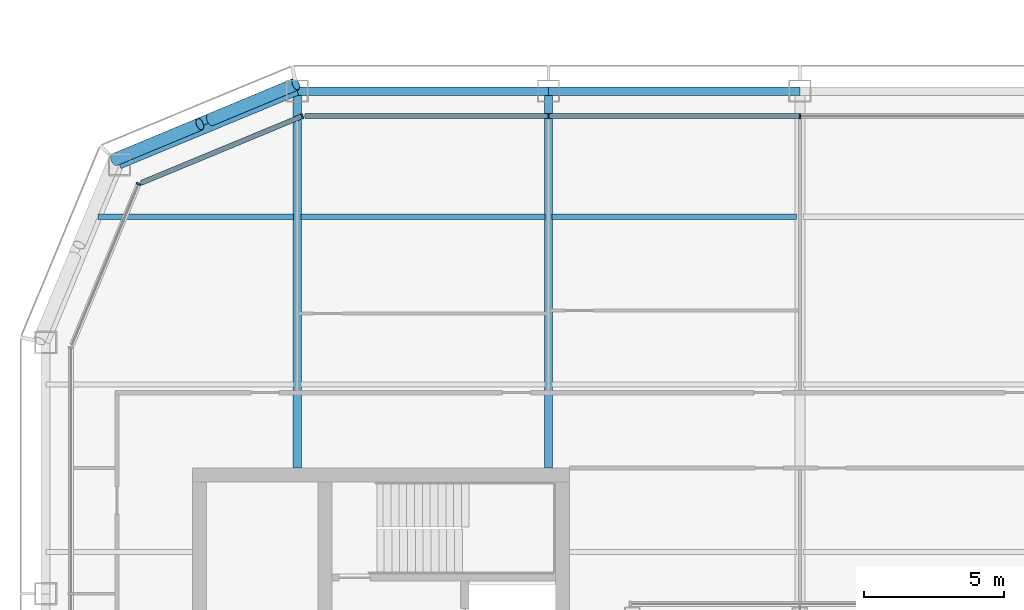
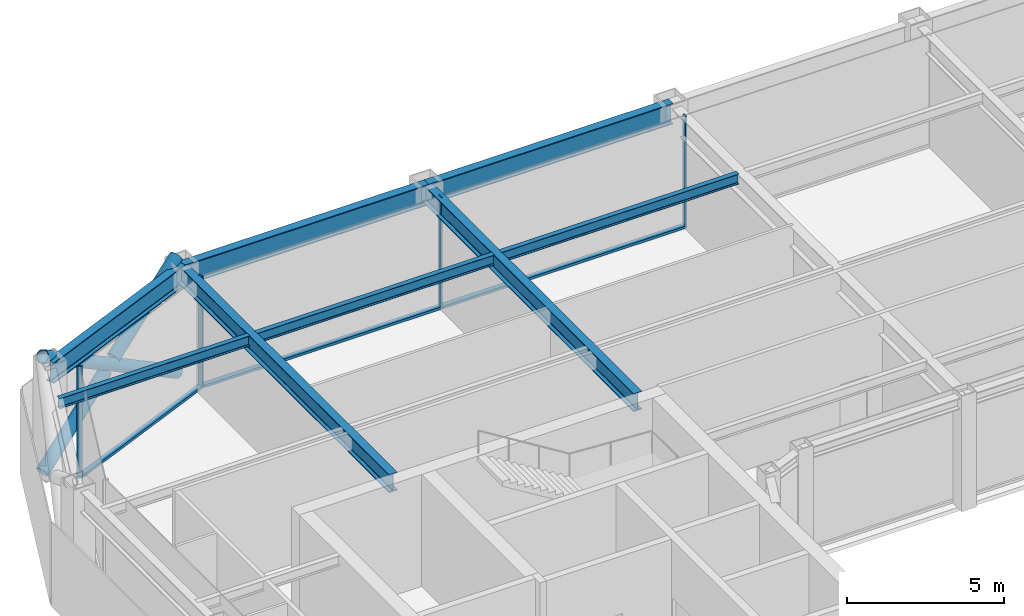
# One storey, part 8 of 23: 10 members, 8 beams, 3 elements without a shape of their own.
"""IFC4 building model written with IfcOpenShell, lengths in metres."""

from ifc_helpers import new_model, si_unit, direction, frame, origin, origin_2d, place, context, subcontext, project, spatial, rectangle, hollow_circle, i_section, extrude, material, layer, layer_set, material_profile, profile_set, type_object, element, aggregate, save


model = new_model("IFC4")

# Units and contexts
model_context = context("Model", 3, precision=1e-05, world=origin(), true_north=direction((0.0, 1.0)))
body_context = subcontext(model_context, "Body", "Model", "MODEL_VIEW")
ifc_project = project(units=[si_unit("LENGTHUNIT", "METRE"), si_unit("AREAUNIT", "SQUARE_METRE"), si_unit("VOLUMEUNIT", "CUBIC_METRE"), si_unit("PLANEANGLEUNIT", "RADIAN"), si_unit("MASSUNIT", "GRAM", prefix="KILO")], contexts=[model_context])

# Site, building, storey
site_placement = place(None, origin())
site = spatial("IfcSite", under=ifc_project, at=site_placement, CompositionType="ELEMENT")
building_placement = place(site_placement, origin())
building = spatial("IfcBuilding", under=site, at=building_placement, Name="Siwar Civic Tower", CompositionType="ELEMENT")
storey_placement = place(building_placement, frame((0.0, 0.0, 260.199951171875)))
storey = spatial("IfcBuildingStorey", under=building, at=storey_placement, Name="L56", CompositionType="ELEMENT", Elevation=260.199951171875)

# Curtain wall, members
ifc_material_1 = material(Name="Aluminium and glass", Category="aluminium")
ifc_layer_1 = layer(ifc_material_1, 0.179931640625)
ifc_layer_set_1 = layer_set([ifc_layer_1], Name="Aluminium and glass")
curtain_wall_type_1 = type_object("IfcCurtainWallType", Name="ENV-CW-C", PredefinedType="NOTDEFINED", material=ifc_layer_set_1)
curtain_wall_1_placement = place(storey_placement, origin())
curtain_wall_1 = element("IfcCurtainWall", 1, at=curtain_wall_1_placement, inside=storey, type_object=curtain_wall_type_1, Name="Curtain wall C N", PredefinedType="NOTDEFINED")
ifc_material_2 = material(Name="Aluminium 6063-T6", Category="aluminium")
ifc_material_profile_1 = material_profile(ifc_material_2, rectangle(XDim=0.179931640625, YDim=0.06005859375, at=origin_2d()), Name="AL 180x60")
ifc_profile_set_1 = profile_set([ifc_material_profile_1], Name="Aluminium 6063-T6")
member_type_1 = type_object("IfcMemberType", Name="ENV-MULLION-C", PredefinedType="MULLION", material=ifc_profile_set_1)
member_1_placement = place(storey_placement, frame((0.0, 26.10009765625, 0.0), z_axis=(0.0, 0.0, 1.0), x_axis=(0.0, -1.0, 0.0)))
member_1 = element("IfcMember", 2, at=member_1_placement, type_object=member_type_1, Name="Mullion C N 3", PredefinedType="MULLION", context=body_context, shape_type="SweptSolid", body=[
    extrude(rectangle(XDim=0.179931640625, YDim=0.06005859375, at=origin_2d()), origin(), (0.0, 0.0, 1.0), 4.35009765625),
])
member_2_placement = place(storey_placement, frame((-9.0, 26.10009765625, 0.0), z_axis=(0.0, 0.0, 1.0), x_axis=(0.0, -1.0, 0.0)))
member_2 = element("IfcMember", 3, at=member_2_placement, type_object=member_type_1, Name="Mullion C N 4", PredefinedType="MULLION", context=body_context, shape_type="SweptSolid", body=[
    extrude(rectangle(XDim=0.179931640625, YDim=0.06005859375, at=origin_2d()), origin(), (0.0, 0.0, 1.0), 4.35009765625),
])

# Curtain wall, member
ifc_material_3 = material(Name="Aluminium clad insulated panel", Category="aluminium")
ifc_layer_2 = layer(ifc_material_3, 0.179931640625)
ifc_layer_set_2 = layer_set([ifc_layer_2], Name="Aluminium clad insulated panel")
curtain_wall_type_2 = type_object("IfcCurtainWallType", Name="ENV-CW-CX", PredefinedType="NOTDEFINED", material=ifc_layer_set_2)
curtain_wall_2_placement = place(storey_placement, origin())
curtain_wall_2 = element("IfcCurtainWall", 4, at=curtain_wall_2_placement, inside=storey, type_object=curtain_wall_type_2, Name="Curtain wall C NW1", PredefinedType="NOTDEFINED")
member_3_placement = place(storey_placement, frame((-17.821044921875, 26.10009765625, 0.0), z_axis=(0.0, 0.0, 1.0), x_axis=(0.382683432365, -0.923879532511, 0.0)))
member_3 = element("IfcMember", 5, at=member_3_placement, type_object=member_type_1, Name="Mullion C NW1 1", PredefinedType="MULLION", context=body_context, shape_type="SweptSolid", body=[
    extrude(rectangle(XDim=0.179931640625, YDim=0.06005859375, at=origin_2d()), origin(), (0.0, 0.0, 1.0), 4.35009765625),
])

curtain_wall_3_placement = place(storey_placement, origin())
curtain_wall_3 = element("IfcCurtainWall", 6, at=curtain_wall_3_placement, inside=storey, type_object=curtain_wall_type_2, Name="Curtain wall C NW2", PredefinedType="NOTDEFINED")
member_4_placement = place(storey_placement, frame((-23.675048828125, 23.675048828125, 0.0), z_axis=(0.0, 0.0, 1.0), x_axis=(0.923879532511, -0.382683432365, 0.0)))
member_4 = element("IfcMember", 7, at=member_4_placement, type_object=member_type_1, Name="Mullion C NW2 1", PredefinedType="MULLION", context=body_context, shape_type="SweptSolid", body=[
    extrude(rectangle(XDim=0.179931640625, YDim=0.06005859375, at=origin_2d()), origin(), (0.0, 0.0, 1.0), 4.35009765625),
])
aggregate(curtain_wall_3, [member_4])

# Member
ifc_material_4 = material(Name="Aluminium 6063-T6", Category="aluminium")
ifc_material_profile_2 = material_profile(ifc_material_4, rectangle(XDim=0.179931640625, YDim=0.10009765625, at=origin_2d()), Name="AL 180x100")
ifc_profile_set_2 = profile_set([ifc_material_profile_2], Name="Aluminium 6063-T6")
member_type_2 = type_object("IfcMemberType", Name="ENV-TRANSOM-C", PredefinedType="USERDEFINED", material=ifc_profile_set_2)
member_5_placement = place(storey_placement, frame((-0.030029296875, 26.10009765625, 0.050048828125), z_axis=(-1.0, 0.0, 0.0), x_axis=(0.0, -1.0, 0.0)))
member_5 = element("IfcMember", 8, at=member_5_placement, type_object=member_type_2, Name="Transom C N 3", ObjectType="TRANSOM", PredefinedType="USERDEFINED", context=body_context, shape_type="SweptSolid", body=[
    extrude(rectangle(XDim=0.179931640625, YDim=0.10009765625, at=origin_2d()), origin(), (0.0, 0.0, 1.0), 8.93994140625),
])

member_6_placement = place(storey_placement, frame((-9.030029296875, 26.10009765625, 0.050048828125), z_axis=(-1.0, 0.0, 0.0), x_axis=(0.0, -1.0, 0.0)))
member_6 = element("IfcMember", 9, at=member_6_placement, type_object=member_type_2, Name="Transom C N 4", ObjectType="TRANSOM", PredefinedType="USERDEFINED", context=body_context, shape_type="SweptSolid", body=[
    extrude(rectangle(XDim=0.179931640625, YDim=0.10009765625, at=origin_2d()), origin(), (0.0, 0.0, 1.0), 8.68603515625),
])

aggregate(curtain_wall_1, [member_1, member_2, member_5, member_6])

member_7_placement = place(storey_placement, frame((-17.8486328125, 26.088623046875, 0.050048828125), z_axis=(-0.923882011223, -0.38267744817, 0.0), x_axis=(0.38267744817, -0.923882011223, 0.0)))
member_7 = element("IfcMember", 10, at=member_7_placement, type_object=member_type_2, Name="Transom C NW1 1", ObjectType="TRANSOM", PredefinedType="USERDEFINED", context=body_context, shape_type="SweptSolid", body=[
    extrude(rectangle(XDim=0.179931640625, YDim=0.10009765625, at=origin_2d()), origin(), (0.0, 0.0, 1.0), 6.201904296875),
])

aggregate(curtain_wall_2, [member_3, member_7])

# Members
ifc_material_5 = material(Name="Steel S355", Category="steel")
ifc_material_profile_3 = material_profile(ifc_material_5, hollow_circle(Radius=0.228515625, WallThickness=0.02001953125, at=origin_2d()), Name="CHS457x20")
ifc_profile_set_3 = profile_set([ifc_material_profile_3], Name="Steel S355")
member_type_3 = type_object("IfcMemberType", Name="STR-BR-CHS457x20", PredefinedType="BRACE", material=ifc_profile_set_3)
member_8_placement = place(storey_placement, frame((-18.048828125, 27.2451171875, 0.0), z_axis=(-0.777554562952, -0.323905527954, 0.538975055633), x_axis=(0.384538969033, -0.923108759191, 0.0)))
element("IfcMember", 11, at=member_8_placement, inside=storey, type_object=member_type_3, Name="L56/brc/CNW1-16-0-0", PredefinedType="BRACE", context=body_context, shape_type="SweptSolid", body=[
    extrude(hollow_circle(Radius=0.228515625, WallThickness=0.02001953125, at=origin_2d()), origin(), (0.0, 0.0, 1.0), 8.34912109375),
])
for number, where, z_axis, x_axis, name in (
    (12, (-24.540771484375, 24.540771484375, 0.0), (0.777546448489, 0.323884455881, 0.538999424564), (-0.38452107079, 0.92311621485, 0.0), "L56/brc/CNW1-16-0-4"),
    (13, (-21.10302734375, 25.972900390625, 2.383056640625), (0.777572496853, 0.323895306243, 0.538955325357), (-0.38452107079, 0.92311621485, 0.0), "L56/brc/CNW1-16-0-5"),
):
    element("IfcMember", number, at=place(storey_placement, frame(where, z_axis=z_axis, x_axis=x_axis)), inside=storey, type_object=member_type_3, Name=name, PredefinedType="BRACE", context=body_context, shape_type="SweptSolid", body=[
        extrude(hollow_circle(Radius=0.228515625, WallThickness=0.02001953125, at=origin_2d()), origin(), (0.0, 0.0, 1.0), 3.927978515625),
    ])

# Beams
ifc_material_6 = material(Name="Steel S355", Category="steel")
ifc_material_profile_4 = material_profile(ifc_material_6, i_section(OverallWidth=0.179931640625, OverallDepth=0.39990234375, WebThickness=0.008544921875, FlangeThickness=0.013427734375, FilletRadius=0.02099609375, at=origin_2d()), Name="IPE400")
ifc_profile_set_4 = profile_set([ifc_material_profile_4], Name="Steel S355")
beam_type_1 = type_object("IfcBeamType", Name="STR-FB-IPE400", PredefinedType="JOIST", material=ifc_profile_set_4)
beam_1_placement = place(storey_placement, frame((-25.135986328125, 22.5, 4.150146484375), z_axis=(1.0, 0.0, 0.0), x_axis=(0.0, 1.0, 0.0)))
element("IfcBeam", 14, at=beam_1_placement, inside=storey, type_object=beam_type_1, Name="L56/bm/F037", PredefinedType="JOIST", context=body_context, shape_type="SweptSolid", body=[
    extrude(i_section(OverallWidth=0.179931640625, OverallDepth=0.39990234375, WebThickness=0.008544921875, FlangeThickness=0.013427734375, FilletRadius=0.02099609375, at=origin_2d()), origin(), (0.0, 0.0, 1.0), 7.006103515625),
])
for number, where, z_axis, x_axis, name in (
    (15, (-17.8701171875, 22.5, 4.150146484375), (1.0, 0.0, 0.0), (0.0, 1.0, 0.0), "L56/bm/F038"),
    (16, (-8.8701171875, 22.5, 4.150146484375), (1.0, 0.0, 0.0), (0.0, 1.0, 0.0), "L56/bm/F039"),
):
    element("IfcBeam", number, at=place(storey_placement, frame(where, z_axis=z_axis, x_axis=x_axis)), inside=storey, type_object=beam_type_1, Name=name, PredefinedType="JOIST", context=body_context, shape_type="SweptSolid", body=[
        extrude(i_section(OverallWidth=0.179931640625, OverallDepth=0.39990234375, WebThickness=0.008544921875, FlangeThickness=0.013427734375, FilletRadius=0.02099609375, at=origin_2d()), origin(), (0.0, 0.0, 1.0), 8.740234375),
    ])
ifc_material_7 = material(Name="Steel S355", Category="steel")
ifc_material_profile_5 = material_profile(ifc_material_7, i_section(OverallWidth=0.300048828125, OverallDepth=0.699951171875, WebThickness=0.01708984375, FlangeThickness=0.031982421875, FilletRadius=0.027099609375, at=origin_2d()), Name="HEB700")
ifc_profile_set_5 = profile_set([ifc_material_profile_5], Name="Steel S355")
beam_type_2 = type_object("IfcBeamType", Name="STR-PG-HEB700", PredefinedType="BEAM", material=ifc_profile_set_5)
for number, where, z_axis, x_axis, name in (
    (17, (-18.0, 13.5, 4.0), (0.0, 1.0, 0.0), (-1.0, 0.0, 0.0), "L56/bm/G02"),
    (18, (-9.0, 13.5, 4.0), (0.0, 1.0, 0.0), (-1.0, 0.0, 0.0), "L56/bm/G04"),
):
    element("IfcBeam", number, at=place(storey_placement, frame(where, z_axis=z_axis, x_axis=x_axis)), inside=storey, type_object=beam_type_2, Name=name, PredefinedType="BEAM", context=body_context, shape_type="SweptSolid", body=[
        extrude(i_section(OverallWidth=0.300048828125, OverallDepth=0.699951171875, WebThickness=0.01708984375, FlangeThickness=0.031982421875, FilletRadius=0.027099609375, at=origin_2d()), origin(), (0.0, 0.0, 1.0), 13.5),
    ])
ifc_material_8 = material(Name="Steel S355", Category="steel")
ifc_material_profile_6 = material_profile(ifc_material_8, i_section(OverallWidth=0.300048828125, OverallDepth=0.800048828125, WebThickness=0.017578125, FlangeThickness=0.032958984375, FilletRadius=0.030029296875, at=origin_2d()), Name="HEB800")
ifc_profile_set_6 = profile_set([ifc_material_profile_6], Name="Steel S355")
beam_type_3 = type_object("IfcBeamType", Name="STR-SB-HEB800", PredefinedType="BEAM", material=ifc_profile_set_6)
for number, where, z_axis, x_axis, name in (
    (19, (0.0, 27.0, 3.949951171875), (-1.0, 0.0, 0.0), (0.0, -1.0, 0.0), "L56/bm/SN-2"),
    (20, (-9.0, 27.0, 3.949951171875), (-1.0, 0.0, 0.0), (0.0, -1.0, 0.0), "L56/bm/SN-3"),
):
    element("IfcBeam", number, at=place(storey_placement, frame(where, z_axis=z_axis, x_axis=x_axis)), inside=storey, type_object=beam_type_3, Name=name, PredefinedType="BEAM", context=body_context, shape_type="SweptSolid", body=[
        extrude(i_section(OverallWidth=0.300048828125, OverallDepth=0.800048828125, WebThickness=0.017578125, FlangeThickness=0.032958984375, FilletRadius=0.030029296875, at=origin_2d()), origin(), (0.0, 0.0, 1.0), 9.0),
    ])
beam_2_placement = place(storey_placement, frame((-18.0, 27.0, 3.949951171875), z_axis=(-0.923883353507, -0.382674207535, 0.0), x_axis=(0.382674207535, -0.923883353507, 0.0)))
element("IfcBeam", 21, at=beam_2_placement, inside=storey, type_object=beam_type_3, Name="L56/bm/SNW1-0", PredefinedType="BEAM", context=body_context, shape_type="SweptSolid", body=[
    extrude(i_section(OverallWidth=0.300048828125, OverallDepth=0.800048828125, WebThickness=0.017578125, FlangeThickness=0.032958984375, FilletRadius=0.030029296875, at=origin_2d()), origin(), (0.0, 0.0, 1.0), 6.888427734375),
])

save(model, "model.ifc")
